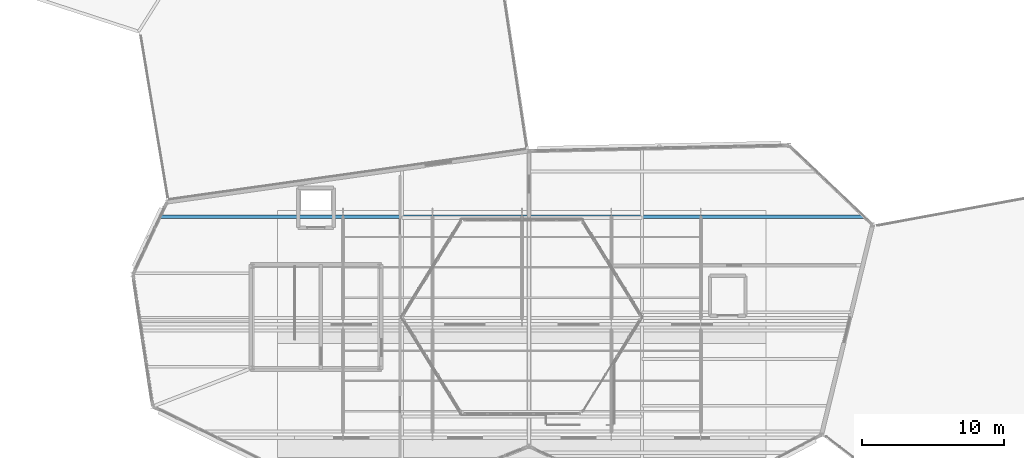
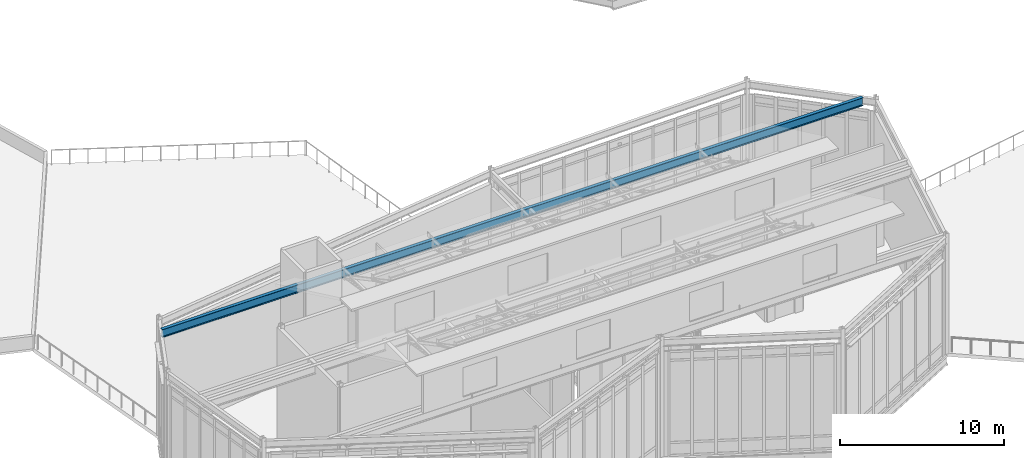
# One storey, part 24 of 66: 1 beam.
"""IFC4 building model written with IfcOpenShell, lengths in metres."""

from ifc_helpers import new_model, si_unit, direction, frame, origin, origin_2d, place, context, subcontext, project, spatial, i_section, extrude, material, material_profile, profile_set, type_object, element, save


model = new_model("IFC4")

# Units and contexts
model_context = context("Model", 3, precision=1e-05, world=origin(), true_north=direction((0.0, 1.0)))
body_context = subcontext(model_context, "Body", "Model", "MODEL_VIEW")
ifc_project = project(units=[si_unit("LENGTHUNIT", "METRE"), si_unit("AREAUNIT", "SQUARE_METRE"), si_unit("VOLUMEUNIT", "CUBIC_METRE"), si_unit("PLANEANGLEUNIT", "RADIAN"), si_unit("MASSUNIT", "GRAM", prefix="KILO")], contexts=[model_context])

# Site, building, storey
site_placement = place(None, origin())
site = spatial("IfcSite", under=ifc_project, at=site_placement, CompositionType="ELEMENT")
building_placement = place(site_placement, origin())
building = spatial("IfcBuilding", under=site, at=building_placement, Name="Tameran Prism Museum", CompositionType="ELEMENT")
storey_placement = place(building_placement, frame((0.0, 0.0, 19.800048828125)))
storey = spatial("IfcBuildingStorey", under=building, at=storey_placement, Name="L04", CompositionType="ELEMENT", Elevation=19.800048828125)

# Beam
ifc_material = material(Name="Steel Grade 300PLUS (300 MPa)", Category="steel")
ifc_material_profile = material_profile(ifc_material, i_section(OverallWidth=0.22900390625, OverallDepth=0.612060546875, WebThickness=0.011962890625, FlangeThickness=0.01953125, FilletRadius=0.013916015625, at=origin_2d()))
ifc_profile_set = profile_set([ifc_material_profile])
beam_type = type_object("IfcBeamType", Name="BM-UB610A", PredefinedType="BEAM", material=ifc_profile_set)
beam_placement = place(storey_placement, frame((51.554931640625, 43.56005859375, 8.48388671875), z_axis=(1.0, 0.0, 0.0), x_axis=(0.0, 1.0, 0.0)))
element("IfcBeam", 1, at=beam_placement, inside=storey, type_object=beam_type, Name="Sawtooth Support Girder SRG-041", PredefinedType="BEAM", context=body_context, shape_type="SweptSolid", body=[
    extrude(i_section(OverallWidth=0.22900390625, OverallDepth=0.612060546875, WebThickness=0.011962890625, FlangeThickness=0.01953125, FilletRadius=0.013916015625, at=origin_2d()), origin(), (0.0, 0.0, 1.0), 49.4970703125),
])

save(model, "model.ifc")
